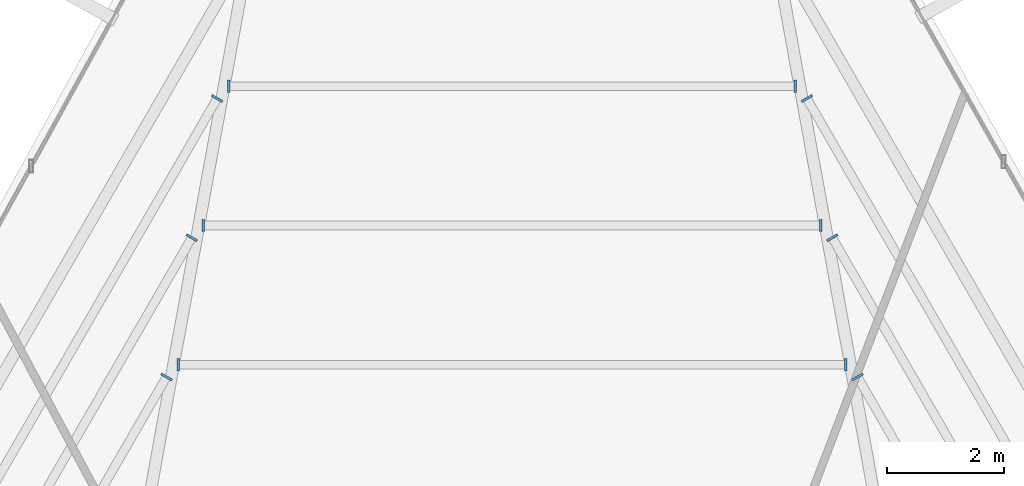
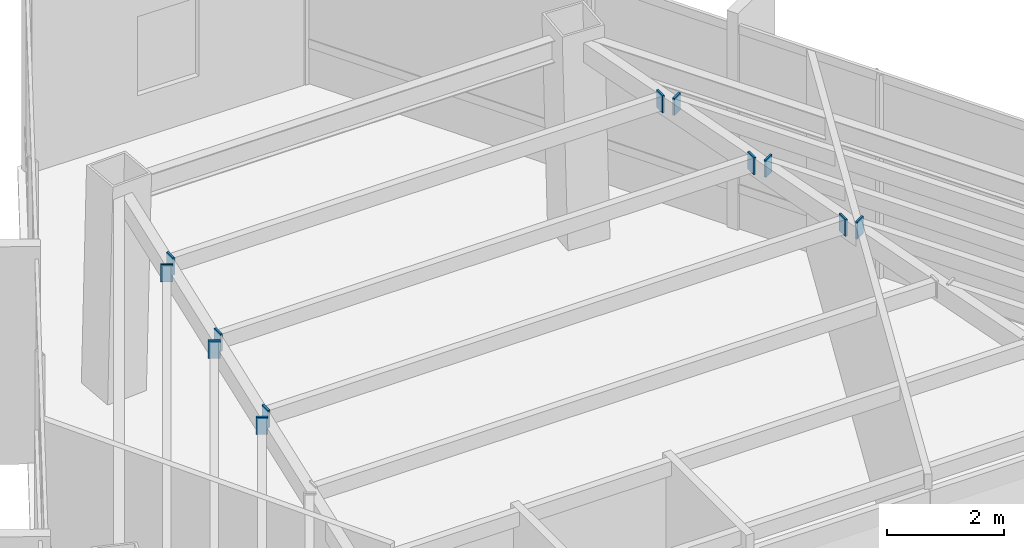
# One storey, part 32 of 37: 12 plates.
"""IFC4 building model written with IfcOpenShell, lengths in metres."""

from ifc_helpers import new_model, si_unit, direction, frame, origin, origin_2d, place, context, subcontext, project, spatial, rectangle, extrude, source, transform, mapped, material, layer, layer_set, type_object, type_shapes, element, save


model = new_model("IFC4")

# Units and contexts
model_context = context("Model", 3, precision=1e-05, world=origin(), true_north=direction((0.0, 1.0)))
body_context = subcontext(model_context, "Body", "Model", "MODEL_VIEW")
ifc_project = project(units=[si_unit("LENGTHUNIT", "METRE"), si_unit("AREAUNIT", "SQUARE_METRE"), si_unit("VOLUMEUNIT", "CUBIC_METRE"), si_unit("PLANEANGLEUNIT", "RADIAN"), si_unit("MASSUNIT", "GRAM", prefix="KILO")], contexts=[model_context])

# Site, building, storey
site_placement = place(None, origin())
site = spatial("IfcSite", under=ifc_project, at=site_placement, CompositionType="ELEMENT")
building_placement = place(site_placement, origin())
building = spatial("IfcBuilding", under=site, at=building_placement, Name="Caelisora Broadcast Tower", CompositionType="ELEMENT")
storey_placement = place(building_placement, frame((0.0, 0.0, 225.35009765625)))
storey = spatial("IfcBuildingStorey", under=building, at=storey_placement, Name="L59", CompositionType="ELEMENT", Elevation=225.35009765625)

# Plates
ifc_material = material(Name="Steel Grade 350 L15 (AS/NZS 3678)", Category="steel")
ifc_layer = layer(ifc_material, 0.0400390625, Name="Steel Grade 350 L15 (AS/NZS 3678)")
ifc_layer_set = layer_set([ifc_layer], Name="Steel Grade 350 L15 (AS/NZS 3678)")
plate_type = type_object("IfcPlateType", Name="GP04", PredefinedType="USERDEFINED", material=ifc_layer_set)
shared_shape = source(origin(), body_context, "Body", "SweptSolid", [
    extrude(rectangle(XDim=0.2099609375, YDim=0.0400390625, at=origin_2d()), origin(), (0.0, 0.0, 1.0), 0.360107421875),
])
type_shapes(plate_type, [shared_shape])
for number, where, z_axis, x_axis, name in (
    (1, (43.69580078125, 39.501708984375, 3.919921875), (0.0, 0.0, 1.0), (0.0, -1.0, 0.0), "L59 gusset plate GP04 (ND-SB-L59-004A)"),
    (2, (32.30419921875, 39.501708984375, 3.919921875), (0.0, 0.0, 1.0), (0.0, -1.0, 0.0), "L59 gusset plate GP04 (ND-SB-L59-004B)"),
    (3, (43.264404296875, 41.877197265625, 3.919921875), (0.0, 0.0, 1.0), (0.0, -1.0, 0.0), "L59 gusset plate GP04 (ND-SB-L59-005A)"),
    (4, (32.735595703125, 41.877197265625, 3.919921875), (0.0, 0.0, 1.0), (0.0, -1.0, 0.0), "L59 gusset plate GP04 (ND-SB-L59-005B)"),
    (5, (42.8330078125, 44.25244140625, 3.919921875), (0.0, 0.0, 1.0), (0.0, -1.0, 0.0), "L59 gusset plate GP04 (ND-SB-L59-006A)"),
    (6, (33.1669921875, 44.25244140625, 3.919921875), (0.0, 0.0, 1.0), (0.0, -1.0, 0.0), "L59 gusset plate GP04 (ND-SB-L59-006B)"),
    (7, (32.10546875, 39.293701171875, 3.919921875), (0.0, 0.0, 1.0), (0.866025403784, -0.5, 0.0), "L59 gusset plate GP04 (ND-SB-L59-009A)"),
    (8, (32.536865234375, 41.669189453125, 3.919921875), (0.0, 0.0, 1.0), (0.866025403784, -0.5, 0.0), "L59 gusset plate GP04 (ND-SB-L59-010A)"),
    (9, (32.96826171875, 44.04443359375, 3.919921875), (0.0, 0.0, 1.0), (0.866025403784, -0.5, 0.0), "L59 gusset plate GP04 (ND-SB-L59-011A)"),
    (10, (43.89453125, 39.293701171875, 3.919921875), (0.0, 0.0, 1.0), (-0.866025403784, -0.5, 0.0), "L59 gusset plate GP04 (ND-SB-L59-062B)"),
    (11, (43.463134765625, 41.669189453125, 3.919921875), (0.0, 0.0, 1.0), (-0.866025403784, -0.5, 0.0), "L59 gusset plate GP04 (ND-SB-L59-063B)"),
    (12, (43.03173828125, 44.04443359375, 3.919921875), (0.0, 0.0, 1.0), (-0.866025403784, -0.5, 0.0), "L59 gusset plate GP04 (ND-SB-L59-064B)"),
):
    element("IfcPlate", number, at=place(storey_placement, frame(where, z_axis=z_axis, x_axis=x_axis)), inside=storey, type_object=plate_type, Name=name, ObjectType="GUSSET PLATE", PredefinedType="USERDEFINED", context=body_context, shape_type="MappedRepresentation", body=[
        mapped(shared_shape, transform((0.0, 0.0, 0.0), scale=1.0)),
    ])

save(model, "model.ifc")
